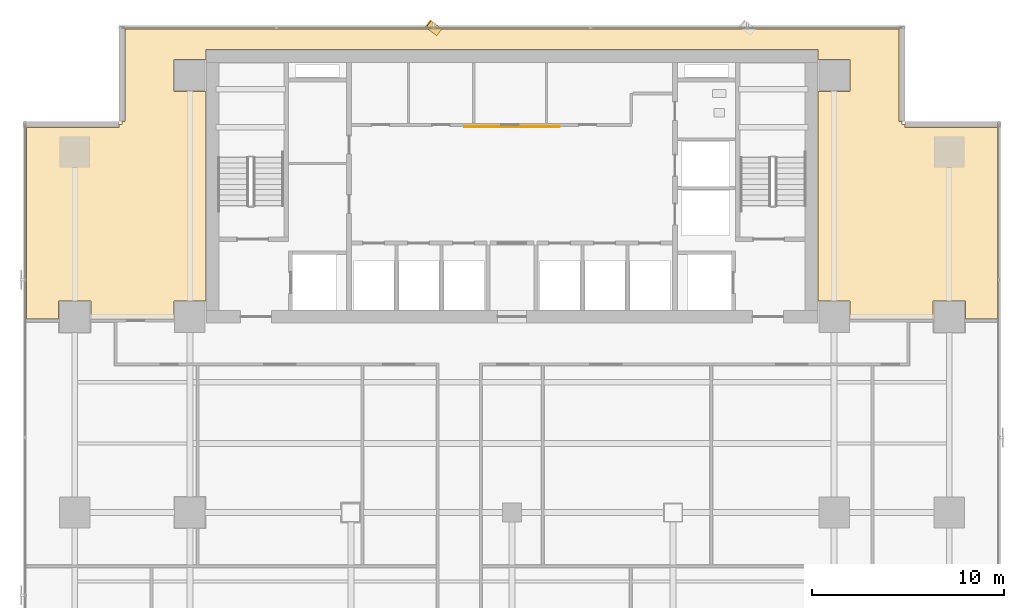
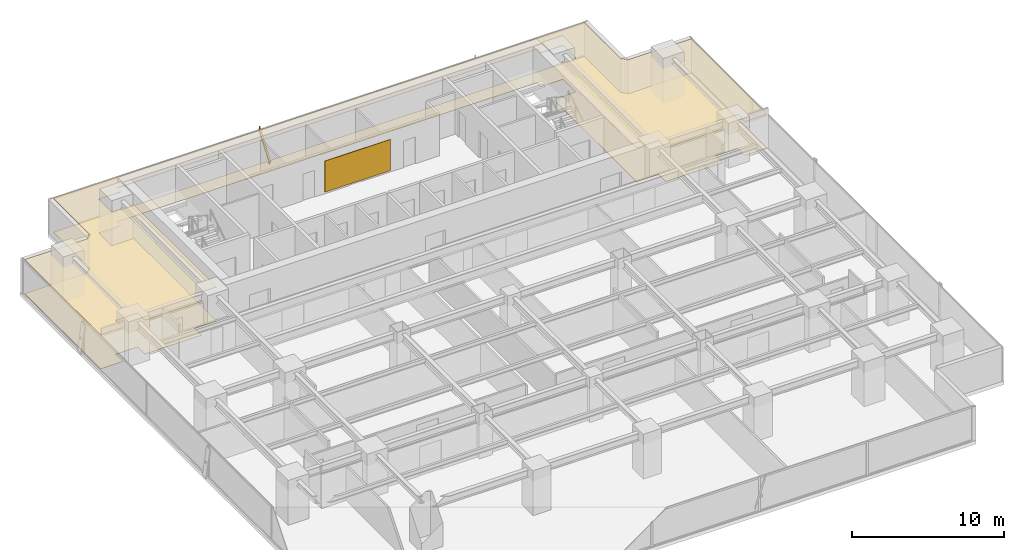
# One storey, part 34 of 36: 3 coverings, 1 shading device.
"""IFC4 building model written with IfcOpenShell, lengths in metres."""

from ifc_helpers import new_model, si_unit, direction, frame, origin, origin_2d, place, context, subcontext, project, spatial, polyline, rectangle, outline, extrude, source, transform, mapped, material, layer, layer_set, material_profile, profile_set, type_object, element, save


model = new_model("IFC4")

# Units and contexts
model_context = context("Model", 3, precision=1e-05, world=origin(), true_north=direction((0.0, 1.0)))
body_context = subcontext(model_context, "Body", "Model", "MODEL_VIEW")
ifc_project = project(units=[si_unit("LENGTHUNIT", "METRE"), si_unit("AREAUNIT", "SQUARE_METRE"), si_unit("VOLUMEUNIT", "CUBIC_METRE"), si_unit("PLANEANGLEUNIT", "RADIAN"), si_unit("MASSUNIT", "GRAM", prefix="KILO")], contexts=[model_context])

# Site, building, storey
site_placement = place(None, origin())
site = spatial("IfcSite", under=ifc_project, at=site_placement, CompositionType="ELEMENT")
building_placement = place(site_placement, origin())
building = spatial("IfcBuilding", under=site, at=building_placement, Name="Sumidabori Civic Tower", CompositionType="ELEMENT")
storey_placement = place(building_placement, frame((0.0, 0.0, 77.60009765625)))
storey = spatial("IfcBuildingStorey", under=building, at=storey_placement, Name="L19", CompositionType="ELEMENT", Elevation=77.60009765625)

# Coverings
ifc_material_1 = material(Name="Perforated Timber Acoustic Ceiling", Category="wood")
ifc_layer_1 = layer(ifc_material_1, 0.044921875, Name="Perforated Timber Acoustic Ceiling")
ifc_layer_set_1 = layer_set([ifc_layer_1], Name="Perforated Timber Acoustic Ceiling")
covering_type_1 = type_object("IfcCoveringType", Name="CV-CEIL-AC2", PredefinedType="CEILING", material=ifc_layer_set_1)
covering_1_placement = place(storey_placement, frame((0.0, 0.0, 2.7099609375)))
element("IfcCovering", 1, at=covering_1_placement, inside=storey, type_object=covering_type_1, Name="Room Acoustic Ceiling L19-01", PredefinedType="CEILING", context=body_context, shape_type="SweptSolid", body=[
    extrude(outline(polyline([(-25.330078125, 10.08740234375), (-25.330078125, 20.072021484375), (-20.491943359375, 20.072021484375), (-20.491943359375, 20.22998046875), (-20.330078125, 20.22998046875), (-20.330078125, 20.39208984375), (-20.172119140625, 20.39208984375), (-20.172119140625, 25.22998046875), (20.172119140625, 25.22998046875), (20.172119140625, 20.39208984375), (20.330078125, 20.39208984375), (20.330078125, 20.22998046875), (20.491943359375, 20.22998046875), (20.491943359375, 20.072021484375), (25.330078125, 20.072021484375), (25.330078125, 10.08740234375), (23.639892578125, 10.08740234375), (23.639892578125, 11.0400390625), (21.9599609375, 11.0400390625), (21.9599609375, 10.08740234375), (20.7548828125, 10.08740234375), (20.7548828125, 10.10498046875), (17.639892578125, 10.10498046875), (17.639892578125, 11.0400390625), (15.952880859375, 11.0400390625), (15.952880859375, 21.9599609375), (17.639892578125, 21.9599609375), (17.639892578125, 23.639892578125), (15.952880859375, 23.639892578125), (15.952880859375, 24.153076171875), (-15.952880859375, 24.153076171875), (-15.952880859375, 23.639892578125), (-17.639892578125, 23.639892578125), (-17.639892578125, 21.9599609375), (-15.952880859375, 21.9599609375), (-15.952880859375, 11.0400390625), (-17.639892578125, 11.0400390625), (-17.639892578125, 10.10498046875), (-20.7548828125, 10.10498046875), (-20.7548828125, 10.08740234375), (-21.9599609375, 10.08740234375), (-21.9599609375, 11.0400390625), (-23.639892578125, 11.0400390625), (-23.639892578125, 10.08740234375), (-25.330078125, 10.08740234375)])), origin(), (0.0, 0.0, 1.0), 0.044921875),
])
ifc_material_2 = material(Name="Honed Terrazzo Tile Flooring")
ifc_layer_2 = layer(ifc_material_2, 0.030029296875, Name="Honed Terrazzo Tile Flooring")
ifc_layer_set_2 = layer_set([ifc_layer_2], Name="Honed Terrazzo Tile Flooring")
covering_type_2 = type_object("IfcCoveringType", Name="CV-FLR-TER", PredefinedType="FLOORING", material=ifc_layer_set_2)
covering_2_placement = place(storey_placement, origin())
element("IfcCovering", 2, at=covering_2_placement, inside=storey, type_object=covering_type_2, Name="Room Terrazzo Floor L19-01", PredefinedType="FLOORING", context=body_context, shape_type="SweptSolid", body=[
    extrude(outline(polyline([(-25.330078125, 10.08740234375), (-25.330078125, 20.072021484375), (-20.491943359375, 20.072021484375), (-20.491943359375, 20.22998046875), (-20.330078125, 20.22998046875), (-20.330078125, 20.39208984375), (-20.172119140625, 20.39208984375), (-20.172119140625, 25.22998046875), (20.172119140625, 25.22998046875), (20.172119140625, 20.39208984375), (20.330078125, 20.39208984375), (20.330078125, 20.22998046875), (20.491943359375, 20.22998046875), (20.491943359375, 20.072021484375), (25.330078125, 20.072021484375), (25.330078125, 10.08740234375), (23.639892578125, 10.08740234375), (23.639892578125, 11.0400390625), (21.9599609375, 11.0400390625), (21.9599609375, 10.08740234375), (20.7548828125, 10.08740234375), (20.7548828125, 10.10498046875), (17.639892578125, 10.10498046875), (17.639892578125, 11.0400390625), (15.952880859375, 11.0400390625), (15.952880859375, 21.9599609375), (17.639892578125, 21.9599609375), (17.639892578125, 23.639892578125), (15.952880859375, 23.639892578125), (15.952880859375, 24.153076171875), (-15.952880859375, 24.153076171875), (-15.952880859375, 23.639892578125), (-17.639892578125, 23.639892578125), (-17.639892578125, 21.9599609375), (-15.952880859375, 21.9599609375), (-15.952880859375, 11.0400390625), (-17.639892578125, 11.0400390625), (-17.639892578125, 10.10498046875), (-20.7548828125, 10.10498046875), (-20.7548828125, 10.08740234375), (-21.9599609375, 10.08740234375), (-21.9599609375, 11.0400390625), (-23.639892578125, 11.0400390625), (-23.639892578125, 10.08740234375), (-25.330078125, 10.08740234375)])), origin(), (0.0, 0.0, 1.0), 0.02978515625),
])

# Shading device
ifc_material_3 = material(Name="Anodised Bronze Aluminium AW-6063-T6", Category="aluminium")
ifc_material_profile = material_profile(ifc_material_3, rectangle(XDim=0.06005859375, YDim=0.449951171875, at=origin_2d()), Name="BRONZE FIN 450x60")
ifc_profile_set = profile_set([ifc_material_profile], Name="Anodised Bronze Aluminium AW-6063-T6")
shading_device_type = type_object("IfcShadingDeviceType", Name="SH-FIN-450", PredefinedType="USERDEFINED", material=ifc_profile_set)
shared_shape_1 = source(origin(), body_context, "Body", "SweptSolid", [
    extrude(rectangle(XDim=0.06005859375, YDim=0.449951171875, at=origin_2d()), origin(), (0.0, 0.0, 1.0), 2.769775390625),
])
shading_device_placement = place(storey_placement, frame((-3.81396484375, 25.070068359375, 0.02001953125), z_axis=(-0.202198633998, 0.151604904305, 0.967538973582), x_axis=(0.774112159528, -0.58041539424, 0.252721852241)))
element("IfcShadingDevice", 3, at=shading_device_placement, inside=storey, type_object=shading_device_type, Name="Bronze Anodised Diagonal Fin L19-03", ObjectType="FIN", PredefinedType="USERDEFINED", context=body_context, shape_type="MappedRepresentation", body=[
    mapped(shared_shape_1, transform((0.0, 0.0, 0.0), x_axis=(1.0, 0.0, 0.0), y_axis=(0.0, 1.0, 0.0), z_axis=(0.0, 0.0, 1.0), scale=1.0)),
])

# Covering
ifc_material_4 = material(Name="Anodised Bronze Aluminium Core Cladding", Category="aluminium")
ifc_layer_3 = layer(ifc_material_4, 0.0400390625, Name="Anodised Bronze Aluminium Core Cladding")
ifc_layer_set_3 = layer_set([ifc_layer_3], Name="Anodised Bronze Aluminium Core Cladding")
covering_type_3 = type_object("IfcCoveringType", Name="CV-CLAD-BRZ", PredefinedType="CLADDING", material=ifc_layer_set_3)
shared_shape_2 = source(origin(), body_context, "Body", "SweptSolid", [
    extrude(rectangle(XDim=5.0, YDim=0.0400390625, at=origin_2d()), origin(), (0.0, 0.0, 1.0), 2.5),
])
covering_3_placement = place(storey_placement, frame((0.0, 20.1201171875, 0.14990234375), z_axis=(0.0, 0.0, 1.0), x_axis=(1.0, 0.0, 0.0)))
element("IfcCovering", 4, at=covering_3_placement, inside=storey, type_object=covering_type_3, Name="Bronze Core Lobby Feature Cladding L19", PredefinedType="CLADDING", context=body_context, shape_type="MappedRepresentation", body=[
    mapped(shared_shape_2, transform((0.0, 0.0, 0.0), x_axis=(1.0, 0.0, 0.0), y_axis=(0.0, 1.0, 0.0), z_axis=(0.0, 0.0, 1.0), scale=1.0)),
])

save(model, "model.ifc")
